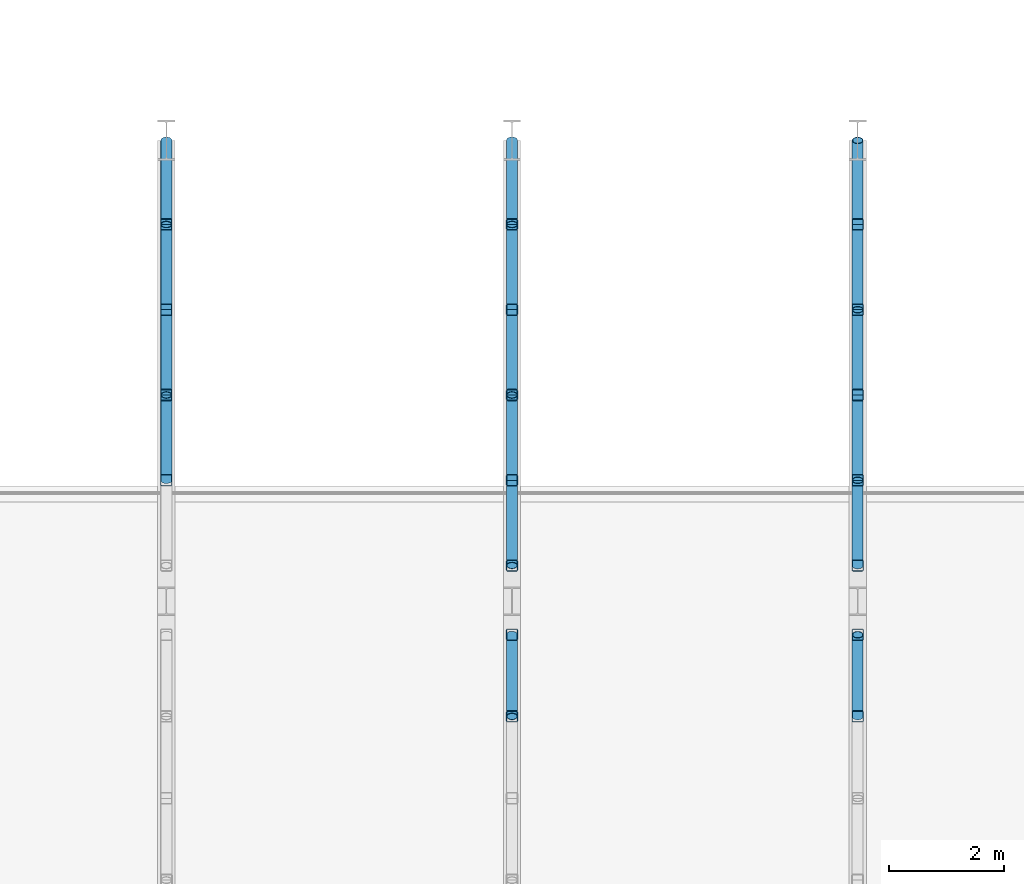
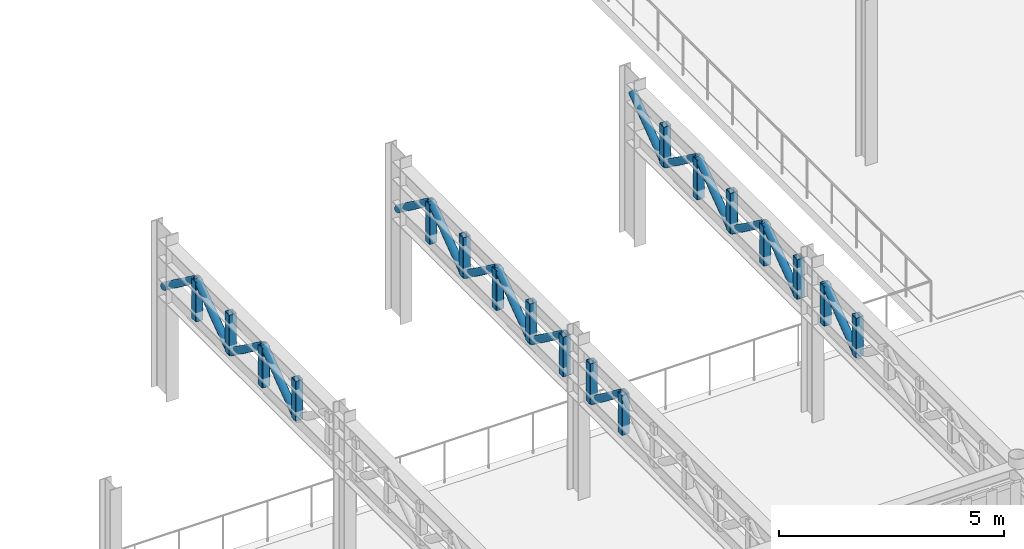
# One storey, part 26 of 91: 34 members.
"""IFC4 building model written with IfcOpenShell, lengths in metres."""

from ifc_helpers import new_model, si_unit, direction, frame, origin, origin_2d, place, context, subcontext, project, spatial, hollow_rectangle, hollow_circle, extrude, material, material_profile, profile_set, type_object, element, save


model = new_model("IFC4")

# Units and contexts
model_context = context("Model", 3, precision=1e-05, world=origin(), true_north=direction((0.0, 1.0)))
body_context = subcontext(model_context, "Body", "Model", "MODEL_VIEW")
ifc_project = project(units=[si_unit("LENGTHUNIT", "METRE"), si_unit("AREAUNIT", "SQUARE_METRE"), si_unit("VOLUMEUNIT", "CUBIC_METRE"), si_unit("PLANEANGLEUNIT", "RADIAN"), si_unit("MASSUNIT", "GRAM", prefix="KILO")], contexts=[model_context])

# Site, building, storey
site_placement = place(None, origin())
site = spatial("IfcSite", under=ifc_project, at=site_placement, CompositionType="ELEMENT")
building_placement = place(site_placement, origin())
building = spatial("IfcBuilding", under=site, at=building_placement, Name="Kolvaren Corner Interchange", CompositionType="ELEMENT")
storey_placement = place(building_placement, frame((0.0, 0.0, 6.0)))
storey = spatial("IfcBuildingStorey", under=building, at=storey_placement, Name="L02", CompositionType="ELEMENT", Elevation=6.0)

# Members
ifc_material_1 = material(Name="Steel S355", Category="steel")
ifc_material_profile_1 = material_profile(ifc_material_1, hollow_circle(Radius=0.096923828125, WallThickness=0.010009765625, at=origin_2d()), Name="CHS 193.7x10.0")
ifc_profile_set_1 = profile_set([ifc_material_profile_1], Name="Steel S355")
member_type_1 = type_object("IfcMemberType", Name="MEM-BR-CHS194", PredefinedType="BRACE", material=ifc_profile_set_1)
for number, where, z_axis, x_axis, name in (
    (1, (96.0, 36.10009765625, 2.889892578125), (0.0, 0.807766939163, 0.589501969458), (-1.0, 0.0, 0.0), "South Portal Cantilever Roof Truss L03 Line 5 Diagonal 15"),
    (2, (96.0, 37.580078125, 3.969970703125), (0.0, 0.807766939163, -0.589501969458), (-1.0, 0.0, 0.0), "South Portal Cantilever Roof Truss L03 Line 5 Diagonal 16"),
    (3, (96.0, 39.06005859375, 2.889892578125), (0.0, 0.807766939163, 0.589501969458), (-1.0, 0.0, 0.0), "South Portal Cantilever Roof Truss L03 Line 5 Diagonal 17"),
):
    element("IfcMember", number, at=place(storey_placement, frame(where, z_axis=z_axis, x_axis=x_axis)), inside=storey, type_object=member_type_1, Name=name, PredefinedType="BRACE", context=body_context, shape_type="SweptSolid", body=[
        extrude(hollow_circle(Radius=0.096923828125, WallThickness=0.010009765625, at=origin_2d()), origin(), (0.0, 0.0, 1.0), 1.832275390625),
    ])
member_1_placement = place(storey_placement, frame((96.0, 40.5400390625, 3.969970703125), z_axis=(0.0, 0.803919029911, -0.594738760589), x_axis=(-1.0, 0.0, 0.0)))
element("IfcMember", 4, at=member_1_placement, inside=storey, type_object=member_type_1, Name="South Portal Cantilever Roof Truss L03 Line 5 Diagonal 18", PredefinedType="BRACE", context=body_context, shape_type="SweptSolid", body=[
    extrude(hollow_circle(Radius=0.096923828125, WallThickness=0.010009765625, at=origin_2d()), origin(), (0.0, 0.0, 1.0), 1.816162109375),
])
member_2_placement = place(storey_placement, frame((102.0, 32.0, 3.969970703125), z_axis=(0.0, 0.795908969203, -0.605416313575), x_axis=(-1.0, 0.0, 0.0)))
element("IfcMember", 5, at=member_2_placement, inside=storey, type_object=member_type_1, Name="South Portal Cantilever Roof Truss L03 Line 6 Diagonal 12", PredefinedType="BRACE", context=body_context, shape_type="SweptSolid", body=[
    extrude(hollow_circle(Radius=0.096923828125, WallThickness=0.010009765625, at=origin_2d()), origin(), (0.0, 0.0, 1.0), 1.783935546875),
])
for number, where, z_axis, x_axis, name in (
    (6, (102.0, 34.6201171875, 3.969970703125), (0.0, 0.807766939163, -0.589501969458), (-1.0, 0.0, 0.0), "South Portal Cantilever Roof Truss L03 Line 6 Diagonal 14"),
    (7, (102.0, 36.10009765625, 2.889892578125), (0.0, 0.807766939163, 0.589501969458), (-1.0, 0.0, 0.0), "South Portal Cantilever Roof Truss L03 Line 6 Diagonal 15"),
    (8, (102.0, 37.580078125, 3.969970703125), (0.0, 0.807766939163, -0.589501969458), (-1.0, 0.0, 0.0), "South Portal Cantilever Roof Truss L03 Line 6 Diagonal 16"),
    (9, (102.0, 39.06005859375, 2.889892578125), (0.0, 0.807766939163, 0.589501969458), (-1.0, 0.0, 0.0), "South Portal Cantilever Roof Truss L03 Line 6 Diagonal 17"),
):
    element("IfcMember", number, at=place(storey_placement, frame(where, z_axis=z_axis, x_axis=x_axis)), inside=storey, type_object=member_type_1, Name=name, PredefinedType="BRACE", context=body_context, shape_type="SweptSolid", body=[
        extrude(hollow_circle(Radius=0.096923828125, WallThickness=0.010009765625, at=origin_2d()), origin(), (0.0, 0.0, 1.0), 1.832275390625),
    ])
member_3_placement = place(storey_placement, frame((102.0, 40.5400390625, 3.969970703125), z_axis=(0.0, 0.803919029911, -0.594738760589), x_axis=(-1.0, 0.0, 0.0)))
element("IfcMember", 10, at=member_3_placement, inside=storey, type_object=member_type_1, Name="South Portal Cantilever Roof Truss L03 Line 6 Diagonal 18", PredefinedType="BRACE", context=body_context, shape_type="SweptSolid", body=[
    extrude(hollow_circle(Radius=0.096923828125, WallThickness=0.010009765625, at=origin_2d()), origin(), (0.0, 0.0, 1.0), 1.816162109375),
])
member_4_placement = place(storey_placement, frame((108.0, 32.0, 2.889892578125), z_axis=(0.0, 0.795908969203, 0.605416313575), x_axis=(-1.0, 0.0, 0.0)))
element("IfcMember", 11, at=member_4_placement, inside=storey, type_object=member_type_1, Name="South Portal Cantilever Roof Truss L03 Line 7 Diagonal 11", PredefinedType="BRACE", context=body_context, shape_type="SweptSolid", body=[
    extrude(hollow_circle(Radius=0.096923828125, WallThickness=0.010009765625, at=origin_2d()), origin(), (0.0, 0.0, 1.0), 1.783935546875),
])
for number, where, z_axis, x_axis, name in (
    (12, (108.0, 34.6201171875, 2.889892578125), (0.0, 0.807766939163, 0.589501969458), (-1.0, 0.0, 0.0), "South Portal Cantilever Roof Truss L03 Line 7 Diagonal 13"),
    (13, (108.0, 36.10009765625, 3.969970703125), (0.0, 0.807766939163, -0.589501969458), (-1.0, 0.0, 0.0), "South Portal Cantilever Roof Truss L03 Line 7 Diagonal 14"),
    (14, (108.0, 37.580078125, 2.889892578125), (0.0, 0.807766939163, 0.589501969458), (-1.0, 0.0, 0.0), "South Portal Cantilever Roof Truss L03 Line 7 Diagonal 15"),
    (15, (108.0, 39.06005859375, 3.969970703125), (0.0, 0.807766939163, -0.589501969458), (-1.0, 0.0, 0.0), "South Portal Cantilever Roof Truss L03 Line 7 Diagonal 16"),
):
    element("IfcMember", number, at=place(storey_placement, frame(where, z_axis=z_axis, x_axis=x_axis)), inside=storey, type_object=member_type_1, Name=name, PredefinedType="BRACE", context=body_context, shape_type="SweptSolid", body=[
        extrude(hollow_circle(Radius=0.096923828125, WallThickness=0.010009765625, at=origin_2d()), origin(), (0.0, 0.0, 1.0), 1.832275390625),
    ])
member_5_placement = place(storey_placement, frame((108.0, 40.5400390625, 2.889892578125), z_axis=(0.0, 0.803919029911, 0.594738760589), x_axis=(-1.0, 0.0, 0.0)))
element("IfcMember", 16, at=member_5_placement, inside=storey, type_object=member_type_1, Name="South Portal Cantilever Roof Truss L03 Line 7 Diagonal 17", PredefinedType="BRACE", context=body_context, shape_type="SweptSolid", body=[
    extrude(hollow_circle(Radius=0.096923828125, WallThickness=0.010009765625, at=origin_2d()), origin(), (0.0, 0.0, 1.0), 1.816162109375),
])
ifc_material_2 = material(Name="Steel S355", Category="steel")
ifc_material_profile_2 = material_profile(ifc_material_2, hollow_rectangle(XDim=0.199951171875, YDim=0.199951171875, WallThickness=0.010009765625, InnerFilletRadius=0.010009765625, OuterFilletRadius=0.02001953125, at=origin_2d()), Name="SHS 200x200x10.0")
ifc_profile_set_2 = profile_set([ifc_material_profile_2], Name="Steel S355")
member_type_2 = type_object("IfcMemberType", Name="MEM-PT-SHS200", PredefinedType="POST", material=ifc_profile_set_2)
for number, where, z_axis, x_axis, name in (
    (17, (96.0, 36.10009765625, 2.889892578125), (0.0, 0.0, 1.0), (1.0, 0.0, 0.0), "South Portal Cantilever Roof Truss L03 Line 5 Web Post 15"),
    (18, (96.0, 37.580078125, 2.889892578125), (0.0, 0.0, 1.0), (1.0, 0.0, 0.0), "South Portal Cantilever Roof Truss L03 Line 5 Web Post 16"),
    (19, (96.0, 39.06005859375, 2.889892578125), (0.0, 0.0, 1.0), (1.0, 0.0, 0.0), "South Portal Cantilever Roof Truss L03 Line 5 Web Post 17"),
    (20, (96.0, 40.5400390625, 2.889892578125), (0.0, 0.0, 1.0), (1.0, 0.0, 0.0), "South Portal Cantilever Roof Truss L03 Line 5 Web Post 18"),
    (21, (102.0, 32.0, 2.889892578125), (0.0, 0.0, 1.0), (1.0, 0.0, 0.0), "South Portal Cantilever Roof Truss L03 Line 6 Web Post 12"),
    (22, (102.0, 33.419921875, 2.889892578125), (0.0, 0.0, 1.0), (1.0, 0.0, 0.0), "South Portal Cantilever Roof Truss L03 Line 6 Web Post 13"),
    (23, (102.0, 34.6201171875, 2.889892578125), (0.0, 0.0, 1.0), (1.0, 0.0, 0.0), "South Portal Cantilever Roof Truss L03 Line 6 Web Post 14"),
    (24, (102.0, 36.10009765625, 2.889892578125), (0.0, 0.0, 1.0), (1.0, 0.0, 0.0), "South Portal Cantilever Roof Truss L03 Line 6 Web Post 15"),
    (25, (102.0, 37.580078125, 2.889892578125), (0.0, 0.0, 1.0), (1.0, 0.0, 0.0), "South Portal Cantilever Roof Truss L03 Line 6 Web Post 16"),
    (26, (102.0, 39.06005859375, 2.889892578125), (0.0, 0.0, 1.0), (1.0, 0.0, 0.0), "South Portal Cantilever Roof Truss L03 Line 6 Web Post 17"),
    (27, (102.0, 40.5400390625, 2.889892578125), (0.0, 0.0, 1.0), (1.0, 0.0, 0.0), "South Portal Cantilever Roof Truss L03 Line 6 Web Post 18"),
    (28, (108.0, 32.0, 2.889892578125), (0.0, 0.0, 1.0), (1.0, 0.0, 0.0), "South Portal Cantilever Roof Truss L03 Line 7 Web Post 11"),
    (29, (108.0, 33.419921875, 2.889892578125), (0.0, 0.0, 1.0), (1.0, 0.0, 0.0), "South Portal Cantilever Roof Truss L03 Line 7 Web Post 12"),
    (30, (108.0, 34.6201171875, 2.889892578125), (0.0, 0.0, 1.0), (1.0, 0.0, 0.0), "South Portal Cantilever Roof Truss L03 Line 7 Web Post 13"),
    (31, (108.0, 36.10009765625, 2.889892578125), (0.0, 0.0, 1.0), (1.0, 0.0, 0.0), "South Portal Cantilever Roof Truss L03 Line 7 Web Post 14"),
    (32, (108.0, 37.580078125, 2.889892578125), (0.0, 0.0, 1.0), (1.0, 0.0, 0.0), "South Portal Cantilever Roof Truss L03 Line 7 Web Post 15"),
    (33, (108.0, 39.06005859375, 2.889892578125), (0.0, 0.0, 1.0), (1.0, 0.0, 0.0), "South Portal Cantilever Roof Truss L03 Line 7 Web Post 16"),
    (34, (108.0, 40.5400390625, 2.889892578125), (0.0, 0.0, 1.0), (1.0, 0.0, 0.0), "South Portal Cantilever Roof Truss L03 Line 7 Web Post 17"),
):
    element("IfcMember", number, at=place(storey_placement, frame(where, z_axis=z_axis, x_axis=x_axis)), inside=storey, type_object=member_type_2, Name=name, PredefinedType="POST", context=body_context, shape_type="SweptSolid", body=[
        extrude(hollow_rectangle(XDim=0.199951171875, YDim=0.199951171875, WallThickness=0.010009765625, InnerFilletRadius=0.010009765625, OuterFilletRadius=0.02001953125, at=origin_2d()), origin(), (0.0, 0.0, 1.0), 1.080078125),
    ])

save(model, "model.ifc")
